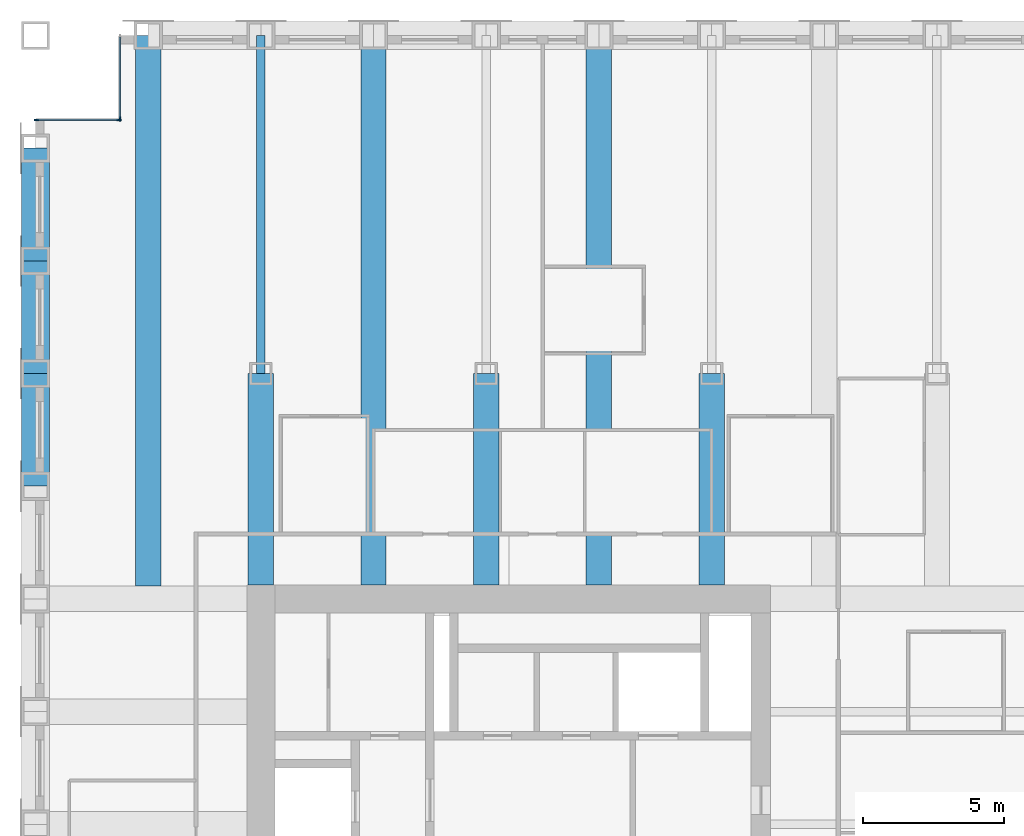
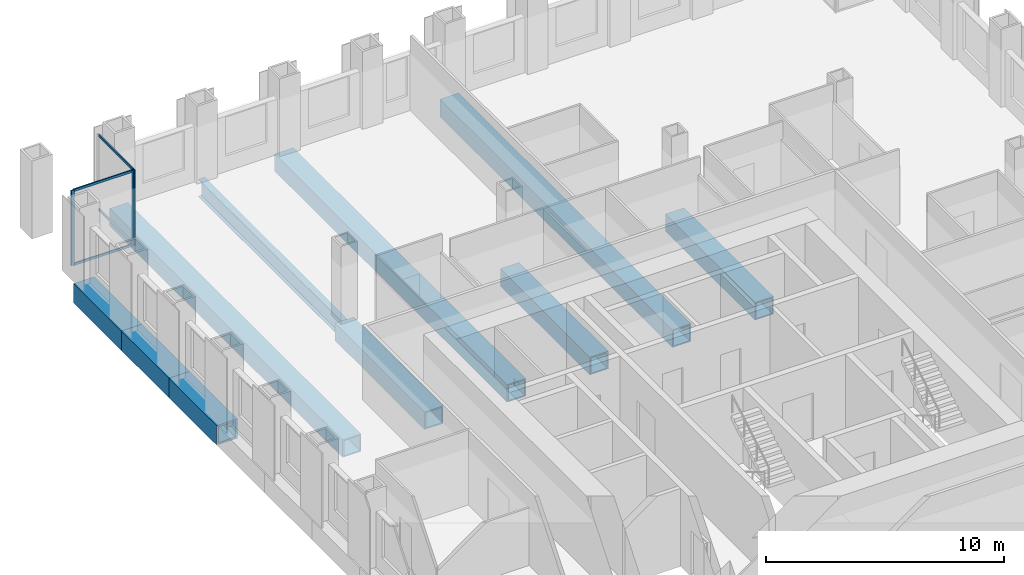
# One storey, part 5 of 14: 10 beams, 7 members, 2 elements without a shape of their own.
"""IFC4 building model written with IfcOpenShell, lengths in metres."""

from ifc_helpers import new_model, si_unit, direction, frame, origin, origin_2d, place, context, subcontext, project, spatial, rectangle, hollow_rectangle, i_section, extrude, material, material_profile, profile_set, type_object, element, aggregate, save


model = new_model("IFC4")

# Units and contexts
model_context = context("Model", 3, precision=1e-05, world=origin(), true_north=direction((0.0, 1.0)))
body_context = subcontext(model_context, "Body", "Model", "MODEL_VIEW")
ifc_project = project(units=[si_unit("LENGTHUNIT", "METRE"), si_unit("AREAUNIT", "SQUARE_METRE"), si_unit("VOLUMEUNIT", "CUBIC_METRE"), si_unit("PLANEANGLEUNIT", "RADIAN"), si_unit("MASSUNIT", "GRAM", prefix="KILO")], contexts=[model_context])

# Site, building, storey
site_placement = place(None, origin())
site = spatial("IfcSite", under=ifc_project, at=site_placement, CompositionType="ELEMENT")
building_placement = place(site_placement, origin())
building = spatial("IfcBuilding", under=site, at=building_placement, Name="Rimbunsela Tower", CompositionType="ELEMENT")
storey_placement = place(building_placement, frame((0.0, 0.0, 226.199951171875)))
storey = spatial("IfcBuildingStorey", under=building, at=storey_placement, Name="L54", CompositionType="ELEMENT", Elevation=226.199951171875)

# Beams
ifc_material_1 = material(Name="Steel BJ 55 (fy 410 MPa)", Category="steel")
ifc_material_profile_1 = material_profile(ifc_material_1, hollow_rectangle(XDim=1.0, YDim=1.0, WallThickness=0.10009765625, at=origin_2d()), Name="BOX 1000x1000x100")
ifc_profile_set_1 = profile_set([ifc_material_profile_1], Name="Steel BJ 55 (fy 410 MPa)")
beam_type_1 = type_object("IfcBeamType", Name="Beam BOX 1000x1000x100", PredefinedType="BEAM", material=ifc_profile_set_1)
for number, where, z_axis, x_axis, name in (
    (1, (10.0, 40.0, -0.64990234375), (0.0, 1.0, 0.0), (-1.0, 0.0, 0.0), "Beam B3 L54"),
    (2, (10.0, 44.0, -0.64990234375), (0.0, 1.0, 0.0), (-1.0, 0.0, 0.0), "Beam B3 L54"),
    (3, (10.0, 48.0, -0.64990234375), (0.0, 1.0, 0.0), (-1.0, 0.0, 0.0), "Beam B3 L54"),
):
    element("IfcBeam", number, at=place(storey_placement, frame(where, z_axis=z_axis, x_axis=x_axis)), inside=storey, type_object=beam_type_1, Name=name, PredefinedType="BEAM", context=body_context, shape_type="SweptSolid", body=[
        extrude(hollow_rectangle(XDim=1.0, YDim=1.0, WallThickness=0.10009765625, at=origin_2d()), origin(), (0.0, 0.0, 1.0), 4.0),
    ])
ifc_material_2 = material(Name="Steel BJ 55 (fy 410 MPa)", Category="steel")
ifc_material_profile_2 = material_profile(ifc_material_2, hollow_rectangle(XDim=0.89990234375, YDim=0.89990234375, WallThickness=0.06005859375, at=origin_2d()), Name="BOX 900x900x60")
ifc_profile_set_2 = profile_set([ifc_material_profile_2], Name="Steel BJ 55 (fy 410 MPa)")
beam_type_2 = type_object("IfcBeamType", Name="Beam BOX 900x900x60", PredefinedType="BEAM", material=ifc_profile_set_2)
beam_1_placement = place(storey_placement, frame((14.0, 36.449951171875, -0.599853515625), z_axis=(0.0, 1.0, 0.0), x_axis=(-1.0, 0.0, 0.0)))
element("IfcBeam", 4, at=beam_1_placement, inside=storey, type_object=beam_type_2, Name="Beam B1 L54", PredefinedType="BEAM", context=body_context, shape_type="SweptSolid", body=[
    extrude(hollow_rectangle(XDim=0.89990234375, YDim=0.89990234375, WallThickness=0.06005859375, at=origin_2d()), origin(), (0.0, 0.0, 1.0), 19.550048828125),
])
beam_2_placement = place(storey_placement, frame((18.0, 36.5, -0.599853515625), z_axis=(0.0, 1.0, 0.0), x_axis=(-1.0, 0.0, 0.0)))
element("IfcBeam", 5, at=beam_2_placement, inside=storey, type_object=beam_type_2, Name="Beam B1 L54", PredefinedType="BEAM", context=body_context, shape_type="SweptSolid", body=[
    extrude(hollow_rectangle(XDim=0.89990234375, YDim=0.89990234375, WallThickness=0.06005859375, at=origin_2d()), origin(), (0.0, 0.0, 1.0), 7.5),
])
beam_3_placement = place(storey_placement, frame((22.0, 36.5, -0.599853515625), z_axis=(0.0, 1.0, 0.0), x_axis=(-1.0, 0.0, 0.0)))
element("IfcBeam", 6, at=beam_3_placement, inside=storey, type_object=beam_type_2, Name="Beam B1 L54", PredefinedType="BEAM", context=body_context, shape_type="SweptSolid", body=[
    extrude(hollow_rectangle(XDim=0.89990234375, YDim=0.89990234375, WallThickness=0.06005859375, at=origin_2d()), origin(), (0.0, 0.0, 1.0), 19.5),
])
beam_4_placement = place(storey_placement, frame((26.0, 36.5, -0.599853515625), z_axis=(0.0, 1.0, 0.0), x_axis=(-1.0, 0.0, 0.0)))
element("IfcBeam", 7, at=beam_4_placement, inside=storey, type_object=beam_type_2, Name="Beam B1 L54", PredefinedType="BEAM", context=body_context, shape_type="SweptSolid", body=[
    extrude(hollow_rectangle(XDim=0.89990234375, YDim=0.89990234375, WallThickness=0.06005859375, at=origin_2d()), origin(), (0.0, 0.0, 1.0), 7.5),
])
beam_5_placement = place(storey_placement, frame((30.0, 36.5, -0.599853515625), z_axis=(0.0, 1.0, 0.0), x_axis=(-1.0, 0.0, 0.0)))
element("IfcBeam", 8, at=beam_5_placement, inside=storey, type_object=beam_type_2, Name="Beam B1 L54", PredefinedType="BEAM", context=body_context, shape_type="SweptSolid", body=[
    extrude(hollow_rectangle(XDim=0.89990234375, YDim=0.89990234375, WallThickness=0.06005859375, at=origin_2d()), origin(), (0.0, 0.0, 1.0), 19.5),
])
beam_6_placement = place(storey_placement, frame((34.0, 36.5, -0.599853515625), z_axis=(0.0, 1.0, 0.0), x_axis=(-1.0, 0.0, 0.0)))
element("IfcBeam", 9, at=beam_6_placement, inside=storey, type_object=beam_type_2, Name="Beam B1 L54", PredefinedType="BEAM", context=body_context, shape_type="SweptSolid", body=[
    extrude(hollow_rectangle(XDim=0.89990234375, YDim=0.89990234375, WallThickness=0.06005859375, at=origin_2d()), origin(), (0.0, 0.0, 1.0), 7.5),
])
ifc_material_3 = material(Name="Steel BJ 55 (fy 410 MPa)", Category="steel")
ifc_material_profile_3 = material_profile(ifc_material_3, i_section(OverallWidth=0.300048828125, OverallDepth=0.89990234375, WebThickness=0.01611328125, FlangeThickness=0.028076171875, FilletRadius=0.028076171875, at=origin_2d()), Name="H 900x300x16x28")
ifc_profile_set_3 = profile_set([ifc_material_profile_3], Name="Steel BJ 55 (fy 410 MPa)")
beam_type_3 = type_object("IfcBeamType", Name="Beam H 900x300x16x28", PredefinedType="BEAM", material=ifc_profile_set_3)
beam_7_placement = place(storey_placement, frame((18.0, 44.0, -0.599853515625), z_axis=(0.0, 1.0, 0.0), x_axis=(-1.0, 0.0, 0.0)))
element("IfcBeam", 10, at=beam_7_placement, inside=storey, type_object=beam_type_3, Name="Beam B2 L54", PredefinedType="BEAM", context=body_context, shape_type="SweptSolid", body=[
    extrude(i_section(OverallWidth=0.300048828125, OverallDepth=0.89990234375, WebThickness=0.01611328125, FlangeThickness=0.028076171875, FilletRadius=0.028076171875, at=origin_2d()), origin(), (0.0, 0.0, 1.0), 12.0),
])

# Curtain wall, member
ifc_material_4 = material(Name="Aluminium curtain wall", Category="aluminium")
curtain_wall_type = type_object("IfcCurtainWallType", Name="Corner glazing", PredefinedType="USERDEFINED", material=ifc_material_4)
curtain_wall_1_placement = place(storey_placement, origin())
curtain_wall_1 = element("IfcCurtainWall", 11, at=curtain_wall_1_placement, inside=storey, type_object=curtain_wall_type, Name="Corner glazing L54", ObjectType="CORNER GLAZING", PredefinedType="USERDEFINED")
ifc_material_5 = material(Name="Aluminium mullion", Category="aluminium")
ifc_material_profile_4 = material_profile(ifc_material_5, rectangle(XDim=0.06005859375, YDim=0.159912109375, at=origin_2d()), Name="Mullion 60x160")
ifc_profile_set_4 = profile_set([ifc_material_profile_4], Name="Aluminium mullion")
member_type_1 = type_object("IfcMemberType", Name="Curtain wall mullion 60x160", PredefinedType="MULLION", material=ifc_profile_set_4)
member_1_placement = place(storey_placement, frame((13.0, 53.030029296875, 0.0), z_axis=(0.0, 0.0, 1.0), x_axis=(1.0, 0.0, 0.0)))
member_1 = element("IfcMember", 12, at=member_1_placement, type_object=member_type_1, Name="CW5 mullion 2", PredefinedType="MULLION", context=body_context, shape_type="SweptSolid", body=[
    extrude(rectangle(XDim=0.06005859375, YDim=0.159912109375, at=origin_2d()), origin(), (0.0, 0.0, 1.0), 3.85009765625),
])

# Curtain wall, members
curtain_wall_2_placement = place(storey_placement, origin())
curtain_wall_2 = element("IfcCurtainWall", 13, at=curtain_wall_2_placement, inside=storey, type_object=curtain_wall_type, Name="Corner glazing L54", ObjectType="CORNER GLAZING", PredefinedType="USERDEFINED")
member_2_placement = place(storey_placement, frame((12.969970703125, 53.0, 0.0), z_axis=(0.0, 0.0, 1.0), x_axis=(0.0, -1.0, 0.0)))
member_2 = element("IfcMember", 14, at=member_2_placement, type_object=member_type_1, Name="CW5 mullion 1", PredefinedType="MULLION", context=body_context, shape_type="SweptSolid", body=[
    extrude(rectangle(XDim=0.06005859375, YDim=0.159912109375, at=origin_2d()), origin(), (0.0, 0.0, 1.0), 3.85009765625),
])
member_3_placement = place(storey_placement, frame((10.030029296875, 53.0, 0.0), z_axis=(0.0, 0.0, 1.0), x_axis=(0.0, -1.0, 0.0)))
member_3 = element("IfcMember", 15, at=member_3_placement, type_object=member_type_1, Name="CW5 mullion 2", PredefinedType="MULLION", context=body_context, shape_type="SweptSolid", body=[
    extrude(rectangle(XDim=0.06005859375, YDim=0.159912109375, at=origin_2d()), origin(), (0.0, 0.0, 1.0), 3.85009765625),
])

# Member
ifc_material_6 = material(Name="Aluminium transom", Category="aluminium")
ifc_material_profile_5 = material_profile(ifc_material_6, rectangle(XDim=0.06005859375, YDim=0.1201171875, at=origin_2d()), Name="Transom 60x120")
ifc_profile_set_5 = profile_set([ifc_material_profile_5], Name="Aluminium transom")
member_type_2 = type_object("IfcMemberType", Name="Curtain wall transom 60x120", PredefinedType="USERDEFINED", material=ifc_profile_set_5)
member_4_placement = place(storey_placement, frame((13.0, 55.93994140625, 0.030029296875), z_axis=(0.0, -1.0, 0.0), x_axis=(1.0, 0.0, 0.0)))
member_4 = element("IfcMember", 16, at=member_4_placement, type_object=member_type_2, Name="CW5 transom 1.1", ObjectType="TRANSOM", PredefinedType="USERDEFINED", context=body_context, shape_type="SweptSolid", body=[
    extrude(rectangle(XDim=0.06005859375, YDim=0.1201171875, at=origin_2d()), origin(), (0.0, 0.0, 1.0), 2.8798828125),
])

member_5_placement = place(storey_placement, frame((13.0, 55.93994140625, 3.820068359375), z_axis=(0.0, -1.0, 0.0), x_axis=(1.0, 0.0, 0.0)))
member_5 = element("IfcMember", 17, at=member_5_placement, type_object=member_type_2, Name="CW5 transom 1.2", ObjectType="TRANSOM", PredefinedType="USERDEFINED", context=body_context, shape_type="SweptSolid", body=[
    extrude(rectangle(XDim=0.06005859375, YDim=0.1201171875, at=origin_2d()), origin(), (0.0, 0.0, 1.0), 2.8798828125),
])

aggregate(curtain_wall_1, [member_1, member_4, member_5])

member_6_placement = place(storey_placement, frame((12.93994140625, 53.0, 0.030029296875), z_axis=(-1.0, 0.0, 0.0), x_axis=(0.0, -1.0, 0.0)))
member_6 = element("IfcMember", 18, at=member_6_placement, type_object=member_type_2, Name="CW5 transom 1.1", ObjectType="TRANSOM", PredefinedType="USERDEFINED", context=body_context, shape_type="SweptSolid", body=[
    extrude(rectangle(XDim=0.06005859375, YDim=0.1201171875, at=origin_2d()), origin(), (0.0, 0.0, 1.0), 2.8798828125),
])

member_7_placement = place(storey_placement, frame((12.93994140625, 53.0, 3.820068359375), z_axis=(-1.0, 0.0, 0.0), x_axis=(0.0, -1.0, 0.0)))
member_7 = element("IfcMember", 19, at=member_7_placement, type_object=member_type_2, Name="CW5 transom 1.2", ObjectType="TRANSOM", PredefinedType="USERDEFINED", context=body_context, shape_type="SweptSolid", body=[
    extrude(rectangle(XDim=0.06005859375, YDim=0.1201171875, at=origin_2d()), origin(), (0.0, 0.0, 1.0), 2.8798828125),
])

aggregate(curtain_wall_2, [member_2, member_3, member_6, member_7])

save(model, "model.ifc")
